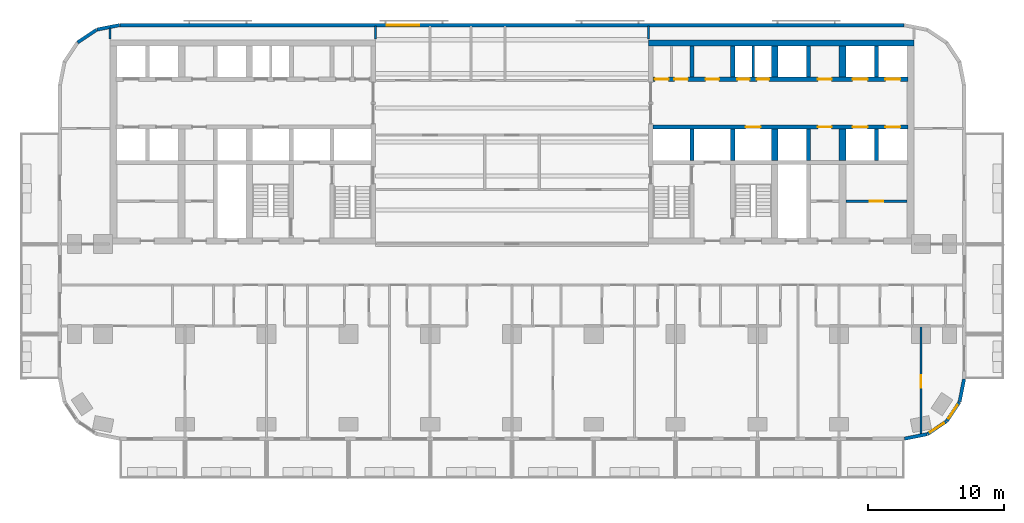
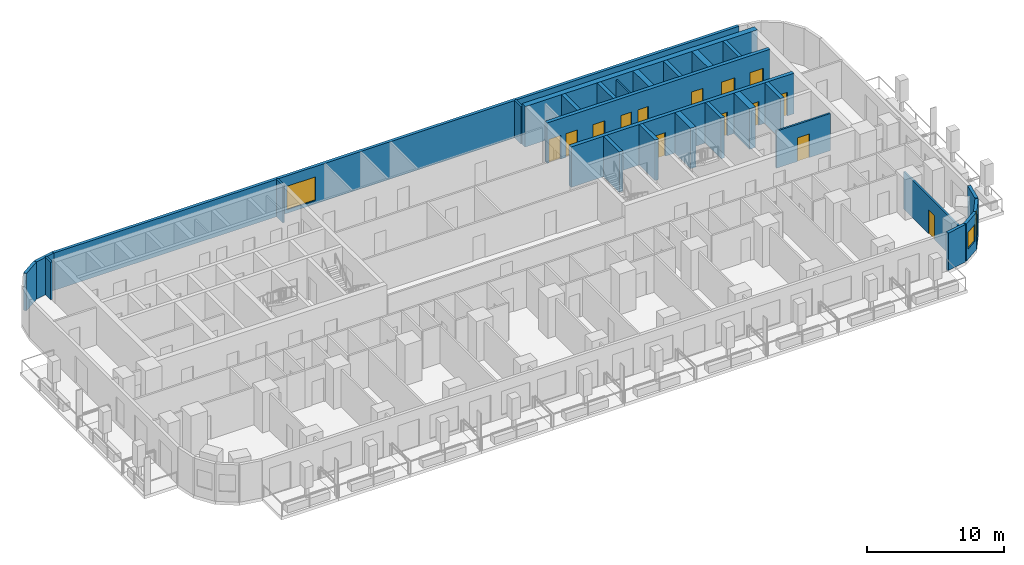
# One storey, part 8 of 15: 28 walls, 14 doors, 3 windows, 17 openings.
"""IFC4 building model written with IfcOpenShell, lengths in metres."""

from ifc_helpers import new_model, si_unit, direction, frame, frame_2d, origin, place, context, subcontext, project, spatial, rectangle, extrude, material, layer, layer_set, type_object, element, fill, save


model = new_model("IFC4")

# Units and contexts
model_context = context("Model", 3, precision=1e-05, world=origin(), true_north=direction((0.0, 1.0)))
body_context = subcontext(model_context, "Body", "Model", "MODEL_VIEW")
ifc_project = project(units=[si_unit("LENGTHUNIT", "METRE"), si_unit("AREAUNIT", "SQUARE_METRE"), si_unit("VOLUMEUNIT", "CUBIC_METRE"), si_unit("PLANEANGLEUNIT", "RADIAN"), si_unit("MASSUNIT", "GRAM", prefix="KILO")], contexts=[model_context])

# Site, building, storey
site_placement = place(None, origin())
site = spatial("IfcSite", under=ifc_project, at=site_placement, CompositionType="ELEMENT")
building_placement = place(site_placement, origin())
building = spatial("IfcBuilding", under=site, at=building_placement, Name="Torana Hotel and Residences", CompositionType="ELEMENT")
storey_placement = place(building_placement, frame((0.0, 0.0, 70.800048828125)))
storey = spatial("IfcBuildingStorey", under=building, at=storey_placement, Name="L17", CompositionType="ELEMENT", Elevation=70.800048828125)

# Wall, openings, doors
ifc_material_1 = material(Name="Concrete C80/95", Category="concrete")
ifc_layer_1 = layer(ifc_material_1, 0.300048828125)
ifc_layer_set_1 = layer_set([ifc_layer_1], Name="CORE WALL 300 C80/95")
wall_type_1 = type_object("IfcWallType", Name="CORE WALL 300 C80/95", PredefinedType="SHEAR", material=ifc_layer_set_1)
wall_1_placement = place(storey_placement, frame((10.35009765625, -2.89990234375, 0.0), z_axis=(0.0, 0.0, 1.0), x_axis=(1.0, 0.0, 0.0)))
wall_1 = element("IfcWall", 1, at=wall_1_placement, inside=storey, type_object=wall_type_1, Name="Core wall E row-N", PredefinedType="SHEAR", context=body_context, shape_type="SweptSolid", body=[
    extrude(rectangle(XDim=18.699951171875, YDim=0.300048828125, at=frame_2d((9.35009765625, 0.0))), origin(), (0.0, 0.0, 1.0), 3.599853515625),
])
opening_1_placement = place(wall_1_placement, frame((14.64990234375, 0.0, 0.0)))
opening_1 = element("IfcOpeningElement", 2, at=opening_1_placement, cuts=wall_1, Name="Opening LD", PredefinedType="OPENING", context=body_context, shape_type="SweptSolid", body=[
    extrude(rectangle(XDim=1.10009765625, YDim=2.10009765625, at=frame_2d((0.550048828125, 1.050048828125))), frame((0.0, 0.159912109375, 0.0), z_axis=(0.0, -1.0, 0.0), x_axis=(1.0, 0.0, 0.0)), (0.0, 0.0, 1.0), 0.320068359375),
])
opening_2_placement = place(wall_1_placement, frame((17.050048828125, 0.0, 0.0)))
opening_2 = element("IfcOpeningElement", 3, at=opening_2_placement, cuts=wall_1, Name="Opening LD", PredefinedType="OPENING", context=body_context, shape_type="SweptSolid", body=[
    extrude(rectangle(XDim=1.10009765625, YDim=2.10009765625, at=frame_2d((0.550048828125, 1.050048828125))), frame((0.0, 0.159912109375, 0.0), z_axis=(0.0, -1.0, 0.0), x_axis=(1.0, 0.0, 0.0)), (0.0, 0.0, 1.0), 0.320068359375),
])
opening_3_placement = place(wall_1_placement, frame((6.1875, 0.0, 0.0)))
opening_3 = element("IfcOpeningElement", 4, at=opening_3_placement, cuts=wall_1, Name="Opening L17-26", PredefinedType="OPENING", context=body_context, shape_type="SweptSolid", body=[
    extrude(rectangle(XDim=0.89990234375, YDim=2.10009765625, at=frame_2d((0.449951171875, 1.050048828125))), frame((0.0, 0.159912109375, 0.0), z_axis=(0.0, -1.0, 0.0), x_axis=(1.0, 0.0, 0.0)), (0.0, 0.0, 1.0), 0.320068359375),
])
opening_4_placement = place(wall_1_placement, frame((7.612548828125, 0.0, 0.0)))
opening_4 = element("IfcOpeningElement", 5, at=opening_4_placement, cuts=wall_1, Name="Opening L17-27", PredefinedType="OPENING", context=body_context, shape_type="SweptSolid", body=[
    extrude(rectangle(XDim=0.89990234375, YDim=2.10009765625, at=frame_2d((0.449951171875, 1.050048828125))), frame((0.0, 0.159912109375, 0.0), z_axis=(0.0, -1.0, 0.0), x_axis=(1.0, 0.0, 0.0)), (0.0, 0.0, 1.0), 0.320068359375),
])
opening_5_placement = place(wall_1_placement, frame((0.137451171875, 0.0, 0.0)))
opening_5 = element("IfcOpeningElement", 6, at=opening_5_placement, cuts=wall_1, Name="Opening L17-28", PredefinedType="OPENING", context=body_context, shape_type="SweptSolid", body=[
    extrude(rectangle(XDim=1.0, YDim=2.10009765625, at=frame_2d((0.5, 1.050048828125))), frame((0.0, 0.159912109375, 0.0), z_axis=(0.0, -1.0, 0.0), x_axis=(1.0, 0.0, 0.0)), (0.0, 0.0, 1.0), 0.320068359375),
])
opening_6_placement = place(wall_1_placement, frame((1.5625, 0.0, 0.0)))
opening_6 = element("IfcOpeningElement", 7, at=opening_6_placement, cuts=wall_1, Name="Opening L17-29", PredefinedType="OPENING", context=body_context, shape_type="SweptSolid", body=[
    extrude(rectangle(XDim=1.0, YDim=2.10009765625, at=frame_2d((0.5, 1.050048828125))), frame((0.0, 0.159912109375, 0.0), z_axis=(0.0, -1.0, 0.0), x_axis=(1.0, 0.0, 0.0)), (0.0, 0.0, 1.0), 0.320068359375),
])
opening_7_placement = place(wall_1_placement, frame((3.85009765625, 0.0, 0.0)))
opening_7 = element("IfcOpeningElement", 8, at=opening_7_placement, cuts=wall_1, Name="Opening L17-30", PredefinedType="OPENING", context=body_context, shape_type="SweptSolid", body=[
    extrude(rectangle(XDim=1.0, YDim=2.10009765625, at=frame_2d((0.5, 1.050048828125))), frame((0.0, 0.159912109375, 0.0), z_axis=(0.0, -1.0, 0.0), x_axis=(1.0, 0.0, 0.0)), (0.0, 0.0, 1.0), 0.320068359375),
])
opening_8_placement = place(wall_1_placement, frame((12.10009765625, 0.0, 0.0)))
opening_8 = element("IfcOpeningElement", 9, at=opening_8_placement, cuts=wall_1, Name="Opening L17-31", PredefinedType="OPENING", context=body_context, shape_type="SweptSolid", body=[
    extrude(rectangle(XDim=1.0, YDim=2.10009765625, at=frame_2d((0.5, 1.050048828125))), frame((0.0, 0.159912109375, 0.0), z_axis=(0.0, -1.0, 0.0), x_axis=(1.0, 0.0, 0.0)), (0.0, 0.0, 1.0), 0.320068359375),
])
ifc_material_2 = material(Name="Steel S235", Category="steel")
door_type_1 = type_object("IfcDoorType", Name="CORE ROOM FIRE DOOR D14 1000x2100", OperationType="SINGLE_SWING_LEFT", PredefinedType="DOOR", material=ifc_material_2)
door_1_placement = place(opening_5_placement, origin())
door_1 = element("IfcDoor", 10, at=door_1_placement, inside=storey, type_object=door_type_1, Name="N0A door L17", OperationType="SINGLE_SWING_RIGHT", OverallHeight=2.10009765625, OverallWidth=1.0, PredefinedType="DOOR", context=body_context, shape_type="SweptSolid", body=[
    extrude(rectangle(XDim=1.0, YDim=2.10009765625, at=frame_2d((0.5, 1.050048828125))), frame((0.0, 0.02490234375, 0.0), z_axis=(0.0, -1.0, 0.0), x_axis=(1.0, 0.0, 0.0)), (0.0, 0.0, 1.0), 0.050048828125),
])
fill(opening_5, door_1)
door_2_placement = place(opening_6_placement, origin())
door_2 = element("IfcDoor", 11, at=door_2_placement, inside=storey, type_object=door_type_1, Name="N0B door L17", OperationType="SINGLE_SWING_RIGHT", OverallHeight=2.10009765625, OverallWidth=1.0, PredefinedType="DOOR", context=body_context, shape_type="SweptSolid", body=[
    extrude(rectangle(XDim=1.0, YDim=2.10009765625, at=frame_2d((0.5, 1.050048828125))), frame((0.0, 0.02490234375, 0.0), z_axis=(0.0, -1.0, 0.0), x_axis=(1.0, 0.0, 0.0)), (0.0, 0.0, 1.0), 0.050048828125),
])
fill(opening_6, door_2)
door_3_placement = place(opening_7_placement, origin())
door_3 = element("IfcDoor", 12, at=door_3_placement, inside=storey, type_object=door_type_1, Name="N1 door L17", OperationType="SINGLE_SWING_RIGHT", OverallHeight=2.10009765625, OverallWidth=1.0, PredefinedType="DOOR", context=body_context, shape_type="SweptSolid", body=[
    extrude(rectangle(XDim=1.0, YDim=2.10009765625, at=frame_2d((0.5, 1.050048828125))), frame((0.0, 0.02490234375, 0.0), z_axis=(0.0, -1.0, 0.0), x_axis=(1.0, 0.0, 0.0)), (0.0, 0.0, 1.0), 0.050048828125),
])
fill(opening_7, door_3)
door_4_placement = place(opening_8_placement, origin())
door_4 = element("IfcDoor", 13, at=door_4_placement, inside=storey, type_object=door_type_1, Name="Free-M3 door L17", OperationType="SINGLE_SWING_RIGHT", OverallHeight=2.10009765625, OverallWidth=1.0, PredefinedType="DOOR", context=body_context, shape_type="SweptSolid", body=[
    extrude(rectangle(XDim=1.0, YDim=2.10009765625, at=frame_2d((0.5, 1.050048828125))), frame((0.0, 0.02490234375, 0.0), z_axis=(0.0, -1.0, 0.0), x_axis=(1.0, 0.0, 0.0)), (0.0, 0.0, 1.0), 0.050048828125),
])
fill(opening_8, door_4)
ifc_material_3 = material(Name="Stainless steel 316", Category="steel")
door_type_2 = type_object("IfcDoorType", Name="LIFT LANDING DOOR LD 1100x2100", OperationType="DOUBLE_DOOR_SLIDING", PredefinedType="USERDEFINED", material=ifc_material_3)
door_5_placement = place(opening_1_placement, origin())
door_5 = element("IfcDoor", 14, at=door_5_placement, inside=storey, type_object=door_type_2, Name="Lift landing door L5 L17", ObjectType="LIFT LANDING DOOR", OperationType="DOUBLE_DOOR_SLIDING", OverallHeight=2.10009765625, OverallWidth=1.10009765625, PredefinedType="USERDEFINED", context=body_context, shape_type="SweptSolid", body=[
    extrude(rectangle(XDim=1.10009765625, YDim=2.10009765625, at=frame_2d((0.550048828125, 1.050048828125))), frame((0.0, 0.02490234375, 0.0), z_axis=(0.0, -1.0, 0.0), x_axis=(1.0, 0.0, 0.0)), (0.0, 0.0, 1.0), 0.050048828125),
])
fill(opening_1, door_5)
door_6_placement = place(opening_2_placement, origin())
door_6 = element("IfcDoor", 15, at=door_6_placement, inside=storey, type_object=door_type_2, Name="Lift landing door L6 L17", ObjectType="LIFT LANDING DOOR", OperationType="DOUBLE_DOOR_SLIDING", OverallHeight=2.10009765625, OverallWidth=1.10009765625, PredefinedType="USERDEFINED", context=body_context, shape_type="SweptSolid", body=[
    extrude(rectangle(XDim=1.10009765625, YDim=2.10009765625, at=frame_2d((0.550048828125, 1.050048828125))), frame((0.0, 0.02490234375, 0.0), z_axis=(0.0, -1.0, 0.0), x_axis=(1.0, 0.0, 0.0)), (0.0, 0.0, 1.0), 0.050048828125),
])
fill(opening_2, door_6)
ifc_material_4 = material(Name="Steel S235", Category="steel")
door_type_3 = type_object("IfcDoorType", Name="RISER ACCESS DOOR D5 900x2100", OperationType="SINGLE_SWING_LEFT", PredefinedType="DOOR", material=ifc_material_4)
door_7_placement = place(opening_3_placement, origin())
door_7 = element("IfcDoor", 16, at=door_7_placement, inside=storey, type_object=door_type_3, Name="N2A door L17", OperationType="SINGLE_SWING_RIGHT", OverallHeight=2.10009765625, OverallWidth=0.89990234375, PredefinedType="DOOR", context=body_context, shape_type="SweptSolid", body=[
    extrude(rectangle(XDim=0.89990234375, YDim=2.10009765625, at=frame_2d((0.449951171875, 1.050048828125))), frame((0.0, 0.02490234375, 0.0), z_axis=(0.0, -1.0, 0.0), x_axis=(1.0, 0.0, 0.0)), (0.0, 0.0, 1.0), 0.050048828125),
])
fill(opening_3, door_7)
door_8_placement = place(opening_4_placement, origin())
door_8 = element("IfcDoor", 17, at=door_8_placement, inside=storey, type_object=door_type_3, Name="N2B door L17", OperationType="SINGLE_SWING_RIGHT", OverallHeight=2.10009765625, OverallWidth=0.89990234375, PredefinedType="DOOR", context=body_context, shape_type="SweptSolid", body=[
    extrude(rectangle(XDim=0.89990234375, YDim=2.10009765625, at=frame_2d((0.449951171875, 1.050048828125))), frame((0.0, 0.02490234375, 0.0), z_axis=(0.0, -1.0, 0.0), x_axis=(1.0, 0.0, 0.0)), (0.0, 0.0, 1.0), 0.050048828125),
])
fill(opening_4, door_8)

wall_2_placement = place(storey_placement, frame((10.35009765625, -6.39990234375, 0.0), z_axis=(0.0, 0.0, 1.0), x_axis=(1.0, 0.0, 0.0)))
wall_2 = element("IfcWall", 18, at=wall_2_placement, inside=storey, type_object=wall_type_1, Name="Core wall E row-S", PredefinedType="SHEAR", context=body_context, shape_type="SweptSolid", body=[
    extrude(rectangle(XDim=18.699951171875, YDim=0.300048828125, at=frame_2d((9.35009765625, 0.0))), origin(), (0.0, 0.0, 1.0), 3.599853515625),
])
opening_9_placement = place(wall_2_placement, frame((14.64990234375, 0.0, 0.0)))
opening_9 = element("IfcOpeningElement", 19, at=opening_9_placement, cuts=wall_2, Name="Opening LD", PredefinedType="OPENING", context=body_context, shape_type="SweptSolid", body=[
    extrude(rectangle(XDim=1.10009765625, YDim=2.10009765625, at=frame_2d((0.550048828125, 1.050048828125))), frame((0.0, 0.159912109375, 0.0), z_axis=(0.0, -1.0, 0.0), x_axis=(1.0, 0.0, 0.0)), (0.0, 0.0, 1.0), 0.320068359375),
])
opening_10_placement = place(wall_2_placement, frame((17.050048828125, 0.0, 0.0)))
opening_10 = element("IfcOpeningElement", 20, at=opening_10_placement, cuts=wall_2, Name="Opening LD", PredefinedType="OPENING", context=body_context, shape_type="SweptSolid", body=[
    extrude(rectangle(XDim=1.10009765625, YDim=2.10009765625, at=frame_2d((0.550048828125, 1.050048828125))), frame((0.0, 0.159912109375, 0.0), z_axis=(0.0, -1.0, 0.0), x_axis=(1.0, 0.0, 0.0)), (0.0, 0.0, 1.0), 0.320068359375),
])
opening_11_placement = place(wall_2_placement, frame((6.800048828125, 0.0, 0.0)))
opening_11 = element("IfcOpeningElement", 21, at=opening_11_placement, cuts=wall_2, Name="Opening LD", PredefinedType="OPENING", context=body_context, shape_type="SweptSolid", body=[
    extrude(rectangle(XDim=1.10009765625, YDim=2.10009765625, at=frame_2d((0.550048828125, 1.050048828125))), frame((0.0, 0.159912109375, 0.0), z_axis=(0.0, -1.0, 0.0), x_axis=(1.0, 0.0, 0.0)), (0.0, 0.0, 1.0), 0.320068359375),
])
opening_12_placement = place(wall_2_placement, frame((12.10009765625, 0.0, 0.0)))
opening_12 = element("IfcOpeningElement", 22, at=opening_12_placement, cuts=wall_2, Name="Opening L17-32", PredefinedType="OPENING", context=body_context, shape_type="SweptSolid", body=[
    extrude(rectangle(XDim=1.0, YDim=2.10009765625, at=frame_2d((0.5, 1.050048828125))), frame((0.0, 0.159912109375, 0.0), z_axis=(0.0, -1.0, 0.0), x_axis=(1.0, 0.0, 0.0)), (0.0, 0.0, 1.0), 0.320068359375),
])
door_9_placement = place(opening_12_placement, frame((0.5, 0.0, 0.0), z_axis=(0.0, 0.0, 1.0), x_axis=(-1.0, 0.0, 0.0)))
door_9 = element("IfcDoor", 23, at=door_9_placement, inside=storey, type_object=door_type_1, Name="Free-M4 door L17", OperationType="SINGLE_SWING_LEFT", OverallHeight=2.10009765625, OverallWidth=1.0, PredefinedType="DOOR", context=body_context, shape_type="SweptSolid", body=[
    extrude(rectangle(XDim=1.0, YDim=2.10009765625, at=frame_2d((0.0, 1.050048828125))), frame((0.0, -0.02490234375, 0.0), z_axis=(0.0, 1.0, 0.0), x_axis=(-1.0, 0.0, 0.0)), (0.0, 0.0, 1.0), 0.050048828125),
])
fill(opening_12, door_9)
door_10_placement = place(opening_9_placement, origin())
door_10 = element("IfcDoor", 24, at=door_10_placement, inside=storey, type_object=door_type_2, Name="Lift landing door L7 L17", ObjectType="LIFT LANDING DOOR", OperationType="DOUBLE_DOOR_SLIDING", OverallHeight=2.10009765625, OverallWidth=1.10009765625, PredefinedType="USERDEFINED", context=body_context, shape_type="SweptSolid", body=[
    extrude(rectangle(XDim=1.10009765625, YDim=2.10009765625, at=frame_2d((0.550048828125, 1.050048828125))), frame((0.0, 0.02490234375, 0.0), z_axis=(0.0, -1.0, 0.0), x_axis=(1.0, 0.0, 0.0)), (0.0, 0.0, 1.0), 0.050048828125),
])
fill(opening_9, door_10)
door_11_placement = place(opening_10_placement, origin())
door_11 = element("IfcDoor", 25, at=door_11_placement, inside=storey, type_object=door_type_2, Name="Lift landing door L8 L17", ObjectType="LIFT LANDING DOOR", OperationType="DOUBLE_DOOR_SLIDING", OverallHeight=2.10009765625, OverallWidth=1.10009765625, PredefinedType="USERDEFINED", context=body_context, shape_type="SweptSolid", body=[
    extrude(rectangle(XDim=1.10009765625, YDim=2.10009765625, at=frame_2d((0.550048828125, 1.050048828125))), frame((0.0, 0.02490234375, 0.0), z_axis=(0.0, -1.0, 0.0), x_axis=(1.0, 0.0, 0.0)), (0.0, 0.0, 1.0), 0.050048828125),
])
fill(opening_10, door_11)
door_12_placement = place(opening_11_placement, origin())
door_12 = element("IfcDoor", 26, at=door_12_placement, inside=storey, type_object=door_type_2, Name="Lift landing door SV2 L17", ObjectType="LIFT LANDING DOOR", OperationType="DOUBLE_DOOR_SLIDING", OverallHeight=2.10009765625, OverallWidth=1.10009765625, PredefinedType="USERDEFINED", context=body_context, shape_type="SweptSolid", body=[
    extrude(rectangle(XDim=1.10009765625, YDim=2.10009765625, at=frame_2d((0.550048828125, 1.050048828125))), frame((0.0, 0.02490234375, 0.0), z_axis=(0.0, -1.0, 0.0), x_axis=(1.0, 0.0, 0.0)), (0.0, 0.0, 1.0), 0.050048828125),
])
fill(opening_11, door_12)

# Walls
for number, where, z_axis, x_axis, name in (
    (27, (13.199951171875, -2.75, 0.0), (0.0, 0.0, 1.0), (0.0, 1.0, 0.0), "Core wall E x3.05-N"),
    (28, (13.199951171875, -8.85009765625, 0.0), (0.0, 0.0, 1.0), (0.0, 1.0, 0.0), "Core wall E x3.05-S"),
    (29, (16.199951171875, -2.75, 0.0), (0.0, 0.0, 1.0), (0.0, 1.0, 0.0), "Core wall E x6.05-N"),
    (30, (16.199951171875, -8.85009765625, 0.0), (0.0, 0.0, 1.0), (0.0, 1.0, 0.0), "Core wall E x6.05-S"),
    (31, (21.75, -2.75, 0.0), (0.0, 0.0, 1.0), (0.0, 1.0, 0.0), "Core wall E mm-N"),
    (32, (21.75, -8.85009765625, 0.0), (0.0, 0.0, 1.0), (0.0, 1.0, 0.0), "Core wall E mm-S"),
    (33, (26.75, -2.75, 0.0), (0.0, 0.0, 1.0), (0.0, 1.0, 0.0), "Core wall E ll-N"),
    (34, (26.75, -8.85009765625, 0.0), (0.0, 0.0, 1.0), (0.0, 1.0, 0.0), "Core wall E ll-S"),
):
    element("IfcWall", number, at=place(storey_placement, frame(where, z_axis=z_axis, x_axis=x_axis)), inside=storey, type_object=wall_type_1, Name=name, PredefinedType="SHEAR", context=body_context, shape_type="SweptSolid", body=[
        extrude(rectangle(XDim=2.300048828125, YDim=0.300048828125, at=frame_2d((1.14990234375, 0.0))), origin(), (0.0, 0.0, 1.0), 3.599853515625),
    ])
ifc_material_5 = material(Name="Concrete C80/95", Category="concrete")
ifc_layer_2 = layer(ifc_material_5, 0.449951171875)
ifc_layer_set_2 = layer_set([ifc_layer_2], Name="CORE WALL 450 C80/95")
wall_type_2 = type_object("IfcWallType", Name="CORE WALL 450 C80/95", PredefinedType="SHEAR", material=ifc_layer_set_2)
wall_3_placement = place(storey_placement, frame((10.0, -0.22509765625, 0.0), z_axis=(0.0, 0.0, 1.0), x_axis=(1.0, 0.0, 0.0)))
element("IfcWall", 35, at=wall_3_placement, inside=storey, type_object=wall_type_2, Name="Core wall E rear", PredefinedType="SHEAR", context=body_context, shape_type="SweptSolid", body=[
    extrude(rectangle(XDim=19.5, YDim=0.449951171875, at=frame_2d((9.75, 0.0))), origin(), (0.0, 0.0, 1.0), 3.599853515625),
])
for number, where, z_axis, x_axis, name in (
    (36, (19.27490234375, -2.75, 0.0), (0.0, 0.0, 1.0), (0.0, 1.0, 0.0), "Core wall E hm-N"),
    (37, (19.27490234375, -8.85009765625, 0.0), (0.0, 0.0, 1.0), (0.0, 1.0, 0.0), "Core wall E hm-S"),
):
    element("IfcWall", number, at=place(storey_placement, frame(where, z_axis=z_axis, x_axis=x_axis)), inside=storey, type_object=wall_type_2, Name=name, PredefinedType="SHEAR", context=body_context, shape_type="SweptSolid", body=[
        extrude(rectangle(XDim=2.300048828125, YDim=0.449951171875, at=frame_2d((1.14990234375, 0.0))), origin(), (0.0, 0.0, 1.0), 3.599853515625),
    ])
ifc_material_6 = material(Name="Concrete C80/95", Category="concrete")
ifc_layer_3 = layer(ifc_material_6, 0.5)
ifc_layer_set_3 = layer_set([ifc_layer_3], Name="CORE WALL 500 C80/95")
wall_type_3 = type_object("IfcWallType", Name="CORE WALL 500 C80/95", PredefinedType="SHEAR", material=ifc_layer_set_3)
for number, where, z_axis, x_axis, name in (
    (38, (24.25, -2.75, 0.0), (0.0, 0.0, 1.0), (0.0, 1.0, 0.0), "Core wall E ml-N"),
    (39, (24.25, -8.85009765625, 0.0), (0.0, 0.0, 1.0), (0.0, 1.0, 0.0), "Core wall E ml-S"),
):
    element("IfcWall", number, at=place(storey_placement, frame(where, z_axis=z_axis, x_axis=x_axis)), inside=storey, type_object=wall_type_3, Name=name, PredefinedType="SHEAR", context=body_context, shape_type="SweptSolid", body=[
        extrude(rectangle(XDim=2.300048828125, YDim=0.5, at=frame_2d((1.14990234375, 0.0))), origin(), (0.0, 0.0, 1.0), 3.599853515625),
    ])
ifc_material_7 = material(Name="Black aluminium composite panel", Category="aluminium")
ifc_layer_4 = layer(ifc_material_7, 0.00390625, Name="Cladding", Category="cladding")
ifc_material_8 = material(Name="Ventilated air cavity")
ifc_layer_5 = layer(ifc_material_8, 0.0400390625, Name="Ventilated cavity", Category="cavity")
ifc_material_9 = material(Name="Mineral wool insulation")
ifc_layer_6 = layer(ifc_material_9, 0.090087890625, Name="Insulation", Category="insulation")
ifc_material_10 = material(Name="Steel S280GD", Category="steel")
ifc_layer_7 = layer(ifc_material_10, 0.092041015625, Name="Steel stud frame", Category="structure")
ifc_material_11 = material(Name="Fire rated plasterboard")
ifc_layer_8 = layer(ifc_material_11, 0.011962890625, Name="Inner board", Category="finish")
ifc_layer_9 = layer(ifc_material_11, 0.011962890625, Name="Second board", Category="finish")
ifc_layer_set_4 = layer_set([ifc_layer_4, ifc_layer_5, ifc_layer_6, ifc_layer_7, ifc_layer_8, ifc_layer_9], Name="EW1 EXTERNAL WALL BLACK METAL CLAD 250")
wall_type_4 = type_object("IfcWallType", Name="EW1 EXTERNAL WALL BLACK METAL CLAD 250", PredefinedType="SOLIDWALL", material=ifc_layer_set_4)
wall_4_placement = place(storey_placement, frame((-28.7998046875, 1.072509765625, 0.0), z_axis=(0.0, 0.0, 1.0), x_axis=(-0.980803419081, -0.194999110559, 0.0)))
element("IfcWall", 40, at=wall_4_placement, inside=storey, type_object=wall_type_4, Name="External wall L17 e0.5", PredefinedType="SOLIDWALL", context=body_context, shape_type="SweptSolid", body=[
    extrude(rectangle(XDim=1.681396484375, YDim=0.25, at=frame_2d((0.8408203125, 0.0))), origin(), (0.0, 0.0, 1.0), 3.320068359375),
])
wall_5_placement = place(storey_placement, frame((-30.493896484375, 0.725830078125, 0.0), z_axis=(0.0, 0.0, 1.0), x_axis=(-0.831482937015, -0.55555029066, 0.0)))
element("IfcWall", 41, at=wall_5_placement, inside=storey, type_object=wall_type_4, Name="External wall L17 e0.6", PredefinedType="SOLIDWALL", context=body_context, shape_type="SweptSolid", body=[
    extrude(rectangle(XDim=1.65625, YDim=0.25, at=frame_2d((0.828125, 0.0))), origin(), (0.0, 0.0, 1.0), 3.320068359375),
])
wall_6_placement = place(storey_placement, frame((28.7998046875, -29.272705078125, 0.0), z_axis=(0.0, 0.0, 1.0), x_axis=(0.980775640221, 0.19513878023, 0.0)))
element("IfcWall", 42, at=wall_6_placement, inside=storey, type_object=wall_type_4, Name="External wall L17 e0.15", PredefinedType="SOLIDWALL", context=body_context, shape_type="SweptSolid", body=[
    extrude(rectangle(XDim=1.681396484375, YDim=0.25, at=frame_2d((0.8408203125, 0.0))), origin(), (0.0, 0.0, 1.0), 3.320068359375),
])

# Wall, opening, window
wall_7_placement = place(storey_placement, frame((30.493896484375, -28.92578125, 0.0), z_axis=(0.0, 0.0, 1.0), x_axis=(0.831482937015, 0.55555029066, 0.0)))
wall_7 = element("IfcWall", 43, at=wall_7_placement, inside=storey, type_object=wall_type_4, Name="External wall L17 e0.16", PredefinedType="SOLIDWALL", context=body_context, shape_type="SweptSolid", body=[
    extrude(rectangle(XDim=1.65625, YDim=0.25, at=frame_2d((0.828125, 0.0))), origin(), (0.0, 0.0, 1.0), 3.320068359375),
])
opening_13_placement = place(wall_7_placement, frame((0.228271484375, 0.0, 0.89990234375)))
opening_13 = element("IfcOpeningElement", 44, at=opening_13_placement, cuts=wall_7, Name="Opening W5", PredefinedType="OPENING", context=body_context, shape_type="SweptSolid", body=[
    extrude(rectangle(XDim=1.199951171875, YDim=1.5, at=frame_2d((0.60009765625, 0.75))), frame((0.0, 0.135009765625, 0.0), z_axis=(0.0, -1.0, 0.0), x_axis=(1.0, 0.0, 0.0)), (0.0, 0.0, 1.0), 0.27001953125),
])
ifc_material_12 = material(Name="Dark glass in black aluminium frame", Category="aluminium")
window_type_1 = type_object("IfcWindowType", Name="W5 CORNER FACET WINDOW 1200x1500", PartitioningType="SINGLE_PANEL", PredefinedType="WINDOW", material=ifc_material_12)
window_1_placement = place(opening_13_placement, origin())
window_1 = element("IfcWindow", 45, at=window_1_placement, inside=storey, type_object=window_type_1, Name="Window L17 e0.16", OverallHeight=1.5, OverallWidth=1.199951171875, PartitioningType="SINGLE_PANEL", PredefinedType="WINDOW", context=body_context, shape_type="SweptSolid", body=[
    extrude(rectangle(XDim=1.199951171875, YDim=1.5, at=frame_2d((0.60009765625, 0.75))), frame((0.0, 0.030029296875, 0.0), z_axis=(0.0, -1.0, 0.0), x_axis=(1.0, 0.0, 0.0)), (0.0, 0.0, 1.0), 0.06005859375),
])
fill(opening_13, window_1)

wall_8_placement = place(storey_placement, frame((31.90576171875, -27.97119140625, 0.0), z_axis=(0.0, 0.0, 1.0), x_axis=(0.55555029066, 0.831482937015, 0.0)))
wall_8 = element("IfcWall", 46, at=wall_8_placement, inside=storey, type_object=wall_type_4, Name="External wall L17 e0.17", PredefinedType="SOLIDWALL", context=body_context, shape_type="SweptSolid", body=[
    extrude(rectangle(XDim=1.65625, YDim=0.25, at=frame_2d((0.828125, 0.0))), origin(), (0.0, 0.0, 1.0), 3.320068359375),
])
opening_14_placement = place(wall_8_placement, frame((0.228271484375, 0.0, 0.89990234375)))
opening_14 = element("IfcOpeningElement", 47, at=opening_14_placement, cuts=wall_8, Name="Opening W5", PredefinedType="OPENING", context=body_context, shape_type="SweptSolid", body=[
    extrude(rectangle(XDim=1.199951171875, YDim=1.5, at=frame_2d((0.60009765625, 0.75))), frame((0.0, 0.135009765625, 0.0), z_axis=(0.0, -1.0, 0.0), x_axis=(1.0, 0.0, 0.0)), (0.0, 0.0, 1.0), 0.27001953125),
])
window_2_placement = place(opening_14_placement, origin())
window_2 = element("IfcWindow", 48, at=window_2_placement, inside=storey, type_object=window_type_1, Name="Window L17 e0.17", OverallHeight=1.5, OverallWidth=1.199951171875, PartitioningType="SINGLE_PANEL", PredefinedType="WINDOW", context=body_context, shape_type="SweptSolid", body=[
    extrude(rectangle(XDim=1.199951171875, YDim=1.5, at=frame_2d((0.60009765625, 0.75))), frame((0.0, 0.030029296875, 0.0), z_axis=(0.0, -1.0, 0.0), x_axis=(1.0, 0.0, 0.0)), (0.0, 0.0, 1.0), 0.06005859375),
])
fill(opening_14, window_2)

# Wall
wall_9_placement = place(storey_placement, frame((32.844482421875, -26.548828125, 0.0), z_axis=(0.0, 0.0, 1.0), x_axis=(0.195166572128, 0.980770110232, 0.0)))
element("IfcWall", 49, at=wall_9_placement, inside=storey, type_object=wall_type_4, Name="External wall L17 e0.18", PredefinedType="SOLIDWALL", context=body_context, shape_type="SweptSolid", body=[
    extrude(rectangle(XDim=1.68115234375, YDim=0.25, at=frame_2d((0.840576171875, 0.0))), origin(), (0.0, 0.0, 1.0), 3.320068359375),
])

# Wall, opening, window
ifc_material_13 = material(Name="Concrete C40/50 precast", Category="concrete")
ifc_layer_10 = layer(ifc_material_13, 0.10009765625, Name="Perforated block", Category="cladding")
ifc_material_14 = material(Name="Air cavity")
ifc_layer_11 = layer(ifc_material_14, 0.030029296875, Name="Cavity", Category="cavity")
ifc_material_15 = material(Name="Concrete C40/50", Category="concrete")
ifc_layer_12 = layer(ifc_material_15, 0.10009765625, Name="Wall", Category="structure")
ifc_material_16 = material(Name="Plaster and paint")
ifc_layer_13 = layer(ifc_material_16, 0.02001953125, Name="Inner finish", Category="finish")
ifc_layer_set_5 = layer_set([ifc_layer_10, ifc_layer_11, ifc_layer_12, ifc_layer_13], Name="EW2 PERFORATED BLOCK SCREEN WALL 250")
wall_type_5 = type_object("IfcWallType", Name="EW2 PERFORATED BLOCK SCREEN WALL 250", PredefinedType="SOLIDWALL", material=ifc_layer_set_5)
wall_10_placement = place(storey_placement, frame((28.775390625, 1.074951171875, 0.0), z_axis=(0.0, 0.0, 1.0), x_axis=(-1.0, 0.0, 0.0)))
wall_10 = element("IfcWall", 50, at=wall_10_placement, inside=storey, type_object=wall_type_5, Name="External wall L17 e0.4", PredefinedType="SOLIDWALL", context=body_context, shape_type="SweptSolid", body=[
    extrude(rectangle(XDim=57.55078125, YDim=0.25, at=frame_2d((28.775390625, 0.0))), origin(), (0.0, 0.0, 1.0), 3.320068359375),
])
opening_15_placement = place(wall_10_placement, frame((35.575439453125, 0.0, 0.300048828125)))
opening_15 = element("IfcOpeningElement", 51, at=opening_15_placement, cuts=wall_10, Name="Opening W1", PredefinedType="OPENING", context=body_context, shape_type="SweptSolid", body=[
    extrude(rectangle(XDim=2.39990234375, YDim=2.10009765625, at=frame_2d((1.199951171875, 1.050048828125))), frame((0.0, 0.135009765625, 0.0), z_axis=(0.0, -1.0, 0.0), x_axis=(1.0, 0.0, 0.0)), (0.0, 0.0, 1.0), 0.27001953125),
])
ifc_material_17 = material(Name="Dark glass in black aluminium frame", Category="aluminium")
window_type_2 = type_object("IfcWindowType", Name="W1 HOTEL ROOM WINDOW 2400x2100", PartitioningType="SINGLE_PANEL", PredefinedType="WINDOW", material=ifc_material_17)
window_3_placement = place(opening_15_placement, origin())
window_3 = element("IfcWindow", 52, at=window_3_placement, inside=storey, type_object=window_type_2, Name="Window L17", OverallHeight=2.10009765625, OverallWidth=2.39990234375, PartitioningType="SINGLE_PANEL", PredefinedType="WINDOW", context=body_context, shape_type="SweptSolid", body=[
    extrude(rectangle(XDim=2.39990234375, YDim=2.10009765625, at=frame_2d((1.199951171875, 1.050048828125))), frame((0.0, 0.030029296875, 0.0), z_axis=(0.0, -1.0, 0.0), x_axis=(1.0, 0.0, 0.0)), (0.0, 0.0, 1.0), 0.06005859375),
])
fill(opening_15, window_3)

# Wall
ifc_material_18 = material(Name="Gypsum plaster")
ifc_layer_14 = layer(ifc_material_18, 0.014892578125, Name="Plaster", Category="finish")
ifc_material_19 = material(Name="Concrete blockwork", Category="masonry")
ifc_layer_15 = layer(ifc_material_19, 0.1201171875, Name="Blockwork", Category="structure")
ifc_layer_16 = layer(ifc_material_18, 0.014892578125, Name="Plaster", Category="finish")
ifc_layer_set_6 = layer_set([ifc_layer_14, ifc_layer_15, ifc_layer_16], Name="FIRE PARTITION 150 BLOCKWORK")
wall_type_6 = type_object("IfcWallType", Name="FIRE PARTITION 150 BLOCKWORK", PredefinedType="PARTITIONING", material=ifc_layer_set_6)
wall_11_placement = place(storey_placement, frame((17.699951171875, -2.75, 0.0), z_axis=(0.0, 0.0, 1.0), x_axis=(0.0, 1.0, 0.0)))
element("IfcWall", 53, at=wall_11_placement, inside=storey, type_object=wall_type_6, Name="Core partition L17", PredefinedType="PARTITIONING", context=body_context, shape_type="SweptSolid", body=[
    extrude(rectangle(XDim=2.300048828125, YDim=0.14990234375, at=frame_2d((1.14990234375, 0.0))), origin(), (0.0, 0.0, 1.0), 3.300048828125),
])

# Wall, opening, door
wall_12_placement = place(storey_placement, frame((24.5, -11.85009765625, 0.0), z_axis=(0.0, 0.0, 1.0), x_axis=(1.0, 0.0, 0.0)))
wall_12 = element("IfcWall", 54, at=wall_12_placement, inside=storey, type_object=wall_type_6, Name="Core partition L17", PredefinedType="PARTITIONING", context=body_context, shape_type="SweptSolid", body=[
    extrude(rectangle(XDim=4.5, YDim=0.14990234375, at=frame_2d((2.25, 0.0))), origin(), (0.0, 0.0, 1.0), 3.300048828125),
])
opening_16_placement = place(wall_12_placement, frame((1.75, 0.0, 0.0)))
opening_16 = element("IfcOpeningElement", 55, at=opening_16_placement, cuts=wall_12, Name="Opening L17-38", PredefinedType="OPENING", context=body_context, shape_type="SweptSolid", body=[
    extrude(rectangle(XDim=1.0, YDim=2.10009765625, at=frame_2d((0.5, 1.050048828125))), frame((0.0, 0.0849609375, 0.0), z_axis=(0.0, -1.0, 0.0), x_axis=(1.0, 0.0, 0.0)), (0.0, 0.0, 1.0), 0.169921875),
])
door_13_placement = place(opening_16_placement, origin())
door_13 = element("IfcDoor", 56, at=door_13_placement, inside=storey, type_object=door_type_1, Name="Plant room door L17", OperationType="SINGLE_SWING_RIGHT", OverallHeight=2.10009765625, OverallWidth=1.0, PredefinedType="DOOR", context=body_context, shape_type="SweptSolid", body=[
    extrude(rectangle(XDim=1.0, YDim=2.10009765625, at=frame_2d((0.5, 1.050048828125))), frame((0.0, 0.02490234375, 0.0), z_axis=(0.0, -1.0, 0.0), x_axis=(1.0, 0.0, 0.0)), (0.0, 0.0, 1.0), 0.050048828125),
])
fill(opening_16, door_13)

ifc_material_20 = material(Name="Gypsum plasterboard")
ifc_layer_17 = layer(ifc_material_20, 0.012451171875, Name="Plasterboard", Category="finish")
ifc_layer_18 = layer(ifc_material_20, 0.012451171875, Name="Plasterboard", Category="finish")
ifc_layer_19 = layer(ifc_material_10, 0.10009765625, Name="Steel studs with mineral wool", Category="insulation")
ifc_layer_20 = layer(ifc_material_20, 0.012451171875, Name="Plasterboard", Category="finish")
ifc_layer_21 = layer(ifc_material_20, 0.012451171875, Name="Plasterboard", Category="finish")
ifc_layer_set_7 = layer_set([ifc_layer_17, ifc_layer_18, ifc_layer_19, ifc_layer_20, ifc_layer_21], Name="PARTITION 150 PLASTERBOARD")
wall_type_7 = type_object("IfcWallType", Name="PARTITION 150 PLASTERBOARD", PredefinedType="PARTITIONING", material=ifc_layer_set_7)
wall_13_placement = place(storey_placement, frame((30.0, -28.977783203125, 0.0), z_axis=(0.0, 0.0, 1.0), x_axis=(0.0, 1.0, 0.0)))
wall_13 = element("IfcWall", 57, at=wall_13_placement, inside=storey, type_object=wall_type_7, Name="Partition L17", PredefinedType="PARTITIONING", context=body_context, shape_type="SweptSolid", body=[
    extrude(rectangle(XDim=7.977783203125, YDim=0.14990234375, at=frame_2d((3.98876953125, 0.0))), origin(), (0.0, 0.0, 1.0), 3.320068359375),
])
opening_17_placement = place(wall_13_placement, frame((3.457763671875, 0.0, 0.0)))
opening_17 = element("IfcOpeningElement", 58, at=opening_17_placement, cuts=wall_13, Name="Opening L17-85", PredefinedType="OPENING", context=body_context, shape_type="SweptSolid", body=[
    extrude(rectangle(XDim=0.89990234375, YDim=2.10009765625, at=frame_2d((0.449951171875, 1.050048828125))), frame((0.0, 0.0849609375, 0.0), z_axis=(0.0, -1.0, 0.0), x_axis=(1.0, 0.0, 0.0)), (0.0, 0.0, 1.0), 0.169921875),
])
ifc_material_21 = material(Name="Timber door, oiled ash", Category="wood")
door_type_4 = type_object("IfcDoorType", Name="ROOM DOOR D7 900x2100", OperationType="SINGLE_SWING_LEFT", PredefinedType="DOOR", material=ifc_material_21)
door_14_placement = place(opening_17_placement, origin())
door_14 = element("IfcDoor", 59, at=door_14_placement, inside=storey, type_object=door_type_4, Name="Door L17", OperationType="SINGLE_SWING_RIGHT", OverallHeight=2.10009765625, OverallWidth=0.89990234375, PredefinedType="DOOR", context=body_context, shape_type="SweptSolid", body=[
    extrude(rectangle(XDim=0.89990234375, YDim=2.10009765625, at=frame_2d((0.449951171875, 1.050048828125))), frame((0.0, 0.02490234375, 0.0), z_axis=(0.0, -1.0, 0.0), x_axis=(1.0, 0.0, 0.0)), (0.0, 0.0, 1.0), 0.050048828125),
])
fill(opening_17, door_14)

# Walls
for number, where, z_axis, x_axis, name in (
    (60, (10.0, 0.050048828125, 0.0), (0.0, 0.0, 1.0), (0.0, 1.0, 0.0), "Partition L17"),
    (61, (-10.0, 0.050048828125, 0.0), (0.0, 0.0, 1.0), (0.0, 1.0, 0.0), "Partition L17"),
):
    element("IfcWall", number, at=place(storey_placement, frame(where, z_axis=z_axis, x_axis=x_axis)), inside=storey, type_object=wall_type_7, Name=name, PredefinedType="PARTITIONING", context=body_context, shape_type="SweptSolid", body=[
        extrude(rectangle(XDim=0.969970703125, YDim=0.14990234375, at=frame_2d((0.48486328125, 0.0))), origin(), (0.0, 0.0, 1.0), 3.320068359375),
    ])
wall_14_placement = place(storey_placement, frame((-29.5, 0.050048828125, 0.0), z_axis=(0.0, 0.0, 1.0), x_axis=(0.0, 1.0, 0.0)))
element("IfcWall", 62, at=wall_14_placement, inside=storey, type_object=wall_type_7, Name="Partition L17", PredefinedType="PARTITIONING", context=body_context, shape_type="SweptSolid", body=[
    extrude(rectangle(XDim=0.8271484375, YDim=0.14990234375, at=frame_2d((0.41357421875, 0.0))), origin(), (0.0, 0.0, 1.0), 3.320068359375),
])

save(model, "model.ifc")
